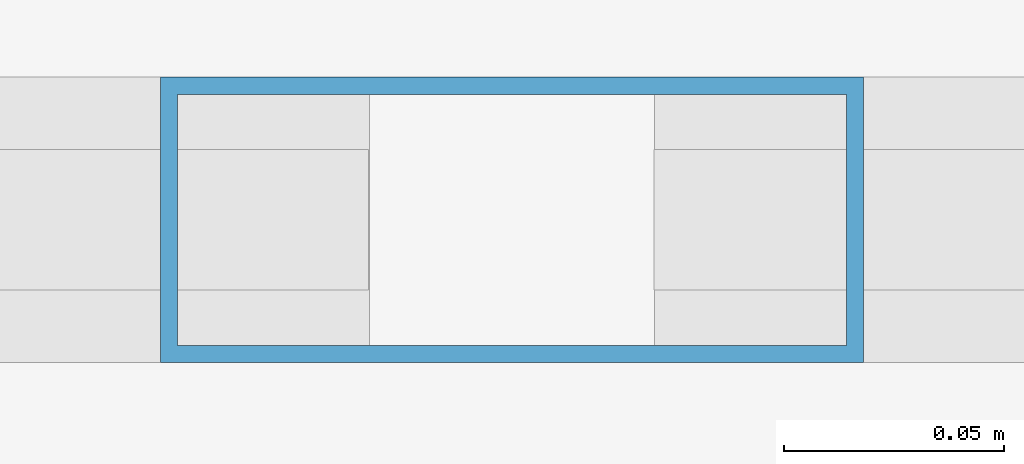
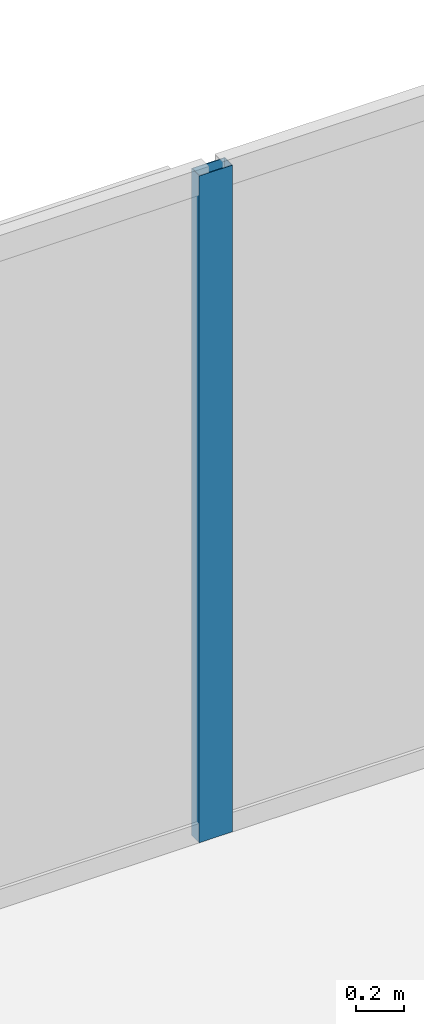
# One storey, part 38 of 50: 1 member, 1 element without a shape of its own.
"""IFC4 building model written with IfcOpenShell, lengths in metres."""

from ifc_helpers import new_model, si_unit, direction, frame, origin, origin_2d, place, context, subcontext, project, spatial, hollow_rectangle, extrude, material, layer, layer_set, material_profile, profile_set, type_object, element, aggregate, save


model = new_model("IFC4")

# Units and contexts
model_context = context("Model", 3, precision=1e-05, world=origin(), true_north=direction((0.0, 1.0)))
body_context = subcontext(model_context, "Body", "Model", "MODEL_VIEW")
ifc_project = project(units=[si_unit("LENGTHUNIT", "METRE"), si_unit("AREAUNIT", "SQUARE_METRE"), si_unit("VOLUMEUNIT", "CUBIC_METRE"), si_unit("PLANEANGLEUNIT", "RADIAN"), si_unit("MASSUNIT", "GRAM", prefix="KILO")], contexts=[model_context])

# Site, building, storey
site_placement = place(None, origin())
site = spatial("IfcSite", under=ifc_project, at=site_placement, CompositionType="ELEMENT")
building_placement = place(site_placement, origin())
building = spatial("IfcBuilding", under=site, at=building_placement, Name="Caelvoria Tower", CompositionType="ELEMENT")
storey_placement = place(building_placement, frame((0.0, 0.0, 71.199951171875)))
storey = spatial("IfcBuildingStorey", under=building, at=storey_placement, Name="L18", CompositionType="ELEMENT", Elevation=71.199951171875)

# Curtain wall, member
ifc_material_1 = material(Name="Anodised Bronze Aluminium and Low-E Glass", Category="aluminium")
ifc_layer = layer(ifc_material_1, 0.18505859375, Name="Anodised Bronze Aluminium and Low-E Glass")
ifc_layer_set = layer_set([ifc_layer], Name="CW System 2 Lower Tower Bronze Unitised Facade - Anodised Bronze Aluminium and Low-E Glass")
curtain_wall_type = type_object("IfcCurtainWallType", Name="CW System 2 Lower Tower Bronze Unitised Facade", PredefinedType="NOTDEFINED", material=ifc_layer_set)
curtain_wall_placement = place(storey_placement, origin())
curtain_wall = element("IfcCurtainWall", 1, at=curtain_wall_placement, inside=storey, type_object=curtain_wall_type, Name="CW-02 Curtain Wall L18-E4", PredefinedType="NOTDEFINED")
ifc_material_2 = material(Name="Anodised Bronze Architectural Aluminium", Category="aluminium")
ifc_material_profile = material_profile(ifc_material_2, hollow_rectangle(XDim=0.06494140625, YDim=0.159912109375, WallThickness=0.00390625, at=origin_2d()), Name="Anodised Bronze Architectural Aluminium")
ifc_profile_set = profile_set([ifc_material_profile], Name="CW_MULL_65X160 - Anodised Bronze Architectural Aluminium")
member_type = type_object("IfcMemberType", Name="Curtain Wall Mullion 65x160 Bronze Aluminium", PredefinedType="MULLION", material=ifc_profile_set)
member_placement = place(storey_placement, frame((54.914306640625, 53.820068359375, 0.0), z_axis=(0.0, 0.0, 1.0), x_axis=(0.0, -1.0, 0.0)))
member = element("IfcMember", 2, at=member_placement, type_object=member_type, Name="CW-02 mullion 5", PredefinedType="MULLION", context=body_context, shape_type="SweptSolid", body=[
    extrude(hollow_rectangle(XDim=0.06494140625, YDim=0.159912109375, WallThickness=0.00390625, at=origin_2d()), origin(), (0.0, 0.0, 1.0), 3.360107421875),
])
aggregate(curtain_wall, [member])

save(model, "model.ifc")
